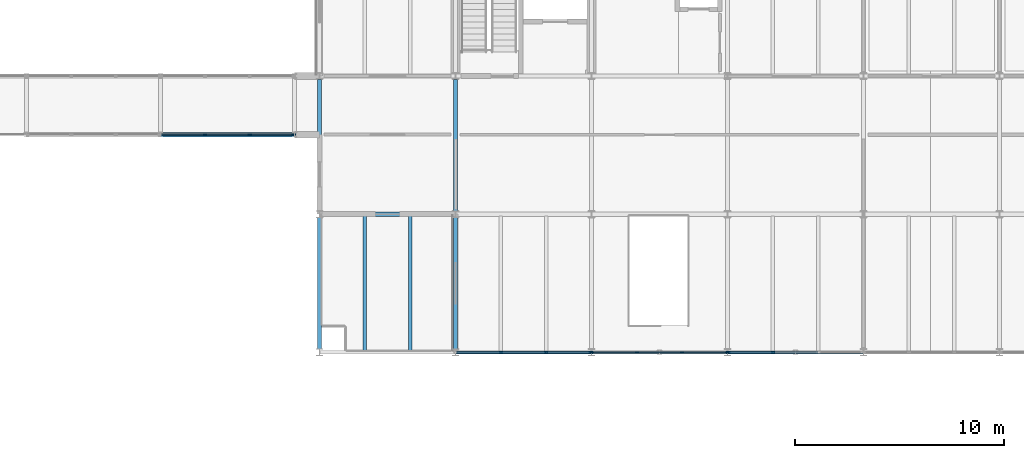
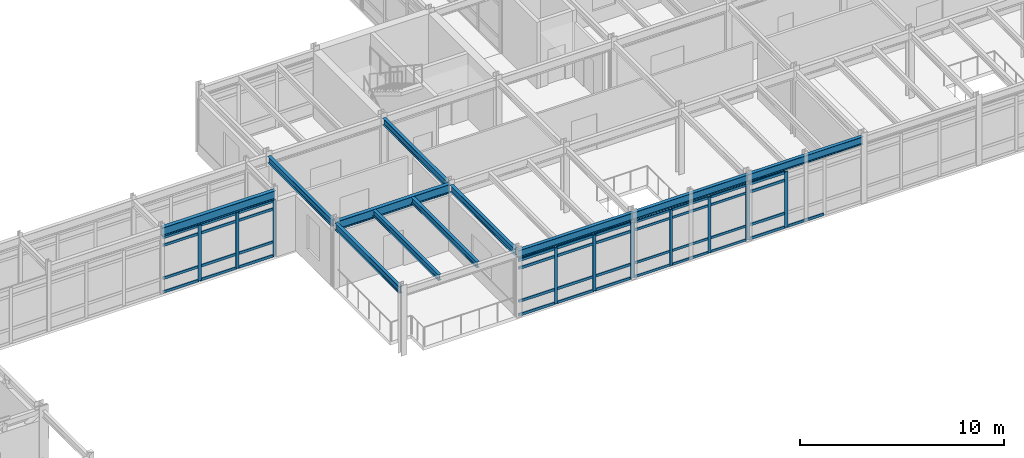
# One storey, part 68 of 144: 53 members, 11 beams, 4 elements without a shape of their own.
"""IFC4 building model written with IfcOpenShell, lengths in metres."""

from ifc_helpers import new_model, si_unit, direction, frame, origin, origin_2d, place, context, subcontext, project, spatial, rectangle, i_section, extrude, material, layer, layer_set, material_profile, profile_set, type_object, element, aggregate, save


model = new_model("IFC4")

# Units and contexts
model_context = context("Model", 3, precision=1e-05, world=origin(), true_north=direction((0.0, 1.0)))
body_context = subcontext(model_context, "Body", "Model", "MODEL_VIEW")
ifc_project = project(units=[si_unit("LENGTHUNIT", "METRE"), si_unit("AREAUNIT", "SQUARE_METRE"), si_unit("VOLUMEUNIT", "CUBIC_METRE"), si_unit("PLANEANGLEUNIT", "RADIAN"), si_unit("MASSUNIT", "GRAM", prefix="KILO")], contexts=[model_context])

# Site, building, storey
site_placement = place(None, origin())
site = spatial("IfcSite", under=ifc_project, at=site_placement, CompositionType="ELEMENT")
building_placement = place(site_placement, origin())
building = spatial("IfcBuilding", under=site, at=building_placement, Name="Trelmorton Wharf Fire Station", CompositionType="ELEMENT")
storey_placement = place(building_placement, frame((0.0, 0.0, 5.39990234375)))
storey = spatial("IfcBuildingStorey", under=building, at=storey_placement, Name="L01", CompositionType="ELEMENT", Elevation=5.39990234375)

# Beams
ifc_material_1 = material(Name="Steel Grade 350", Category="steel")
ifc_material_profile_1 = material_profile(ifc_material_1, i_section(OverallWidth=0.177978515625, OverallDepth=0.406005859375, WebThickness=0.0078125, FlangeThickness=0.0126953125, FilletRadius=0.011474609375, at=origin_2d()), Name="410UB59.7")
ifc_profile_set_1 = profile_set([ifc_material_profile_1], Name="Steel Grade 350")
beam_type_1 = type_object("IfcBeamType", Name="BM_410UB60", PredefinedType="BEAM", material=ifc_profile_set_1)
for number, where, z_axis, x_axis, name in (
    (1, (104.0, 7.95947265625, 3.72705078125), (0.0, 1.0, 0.0), (-1.0, 0.0, 0.0), "BM-L01-0616"),
    (2, (104.0, 14.5595703125, 3.72705078125), (0.0, 1.0, 0.0), (-1.0, 0.0, 0.0), "BM-L01-0617"),
    (3, (110.5, 7.95947265625, 3.72705078125), (0.0, 1.0, 0.0), (-1.0, 0.0, 0.0), "BM-L01-0622"),
    (4, (110.5, 14.5595703125, 3.72705078125), (0.0, 1.0, 0.0), (-1.0, 0.0, 0.0), "BM-L01-0623"),
):
    element("IfcBeam", number, at=place(storey_placement, frame(where, z_axis=z_axis, x_axis=x_axis)), inside=storey, type_object=beam_type_1, Name=name, PredefinedType="BEAM", context=body_context, shape_type="SweptSolid", body=[
        extrude(i_section(OverallWidth=0.177978515625, OverallDepth=0.406005859375, WebThickness=0.0078125, FlangeThickness=0.0126953125, FilletRadius=0.011474609375, at=origin_2d()), origin(), (0.0, 0.0, 1.0), 6.281005859375),
    ])
ifc_material_profile_2 = material_profile(ifc_material_1, i_section(OverallWidth=0.208984375, OverallDepth=0.528076171875, WebThickness=0.009521484375, FlangeThickness=0.01318359375, FilletRadius=0.013916015625, at=origin_2d()), Name="530UB82.0")
ifc_profile_set_2 = profile_set([ifc_material_profile_2], Name="Steel Grade 350")
beam_type_2 = type_object("IfcBeamType", Name="BM_530UB82", PredefinedType="BEAM", material=ifc_profile_set_2)
beam_1_placement = place(storey_placement, frame((104.005859375, 14.39990234375, 3.666015625), z_axis=(1.0, 0.0, 0.0), x_axis=(0.0, 1.0, 0.0)))
element("IfcBeam", 5, at=beam_1_placement, inside=storey, type_object=beam_type_2, Name="BM-L01-0425", PredefinedType="BEAM", context=body_context, shape_type="SweptSolid", body=[
    extrude(i_section(OverallWidth=0.208984375, OverallDepth=0.528076171875, WebThickness=0.009521484375, FlangeThickness=0.01318359375, FilletRadius=0.013916015625, at=origin_2d()), origin(), (0.0, 0.0, 1.0), 6.48828125),
])
beam_2_placement = place(storey_placement, frame((96.404052734375, 18.199951171875, 3.666015625), z_axis=(1.0, 0.0, 0.0), x_axis=(0.0, 1.0, 0.0)))
element("IfcBeam", 6, at=beam_2_placement, inside=storey, type_object=beam_type_2, Name="BM-L01-0435", PredefinedType="BEAM", context=body_context, shape_type="SweptSolid", body=[
    extrude(i_section(OverallWidth=0.208984375, OverallDepth=0.528076171875, WebThickness=0.009521484375, FlangeThickness=0.01318359375, FilletRadius=0.013916015625, at=origin_2d()), origin(), (0.0, 0.0, 1.0), 6.391845703125),
])

# Curtain wall, members
ifc_material_2 = material(Name="Anodised aluminium AW-6063", Category="aluminium")
ifc_layer_1 = layer(ifc_material_2, 0.159912109375)
ifc_layer_set_1 = layer_set([ifc_layer_1], Name="Anodised aluminium AW-6063")
curtain_wall_type_1 = type_object("IfcCurtainWallType", Name="CW_CHIC_A", PredefinedType="USERDEFINED", material=ifc_layer_set_1)
curtain_wall_1_placement = place(storey_placement, origin())
curtain_wall_1 = element("IfcCurtainWall", 7, at=curtain_wall_1_placement, inside=storey, type_object=curtain_wall_type_1, Name="CW-V5-L01-039", ObjectType="CHICAGO BAY CURTAIN WALL", PredefinedType="USERDEFINED")
ifc_material_profile_3 = material_profile(ifc_material_2, rectangle(XDim=0.06494140625, YDim=0.159912109375, at=origin_2d()), Name="ALU-65x160")
ifc_profile_set_3 = profile_set([ifc_material_profile_3], Name="Anodised aluminium AW-6063")
member_type_1 = type_object("IfcMemberType", Name="CWM_65x160", PredefinedType="MULLION", material=ifc_profile_set_3)
member_1_placement = place(storey_placement, frame((123.465087890625, 7.800048828125, 0.0), z_axis=(0.0, 0.0, 1.0), x_axis=(0.0, -1.0, 0.0)))
member_1 = element("IfcMember", 8, at=member_1_placement, type_object=member_type_1, Name="CW1 mullion 1", PredefinedType="MULLION", context=body_context, shape_type="SweptSolid", body=[
    extrude(rectangle(XDim=0.06494140625, YDim=0.159912109375, at=origin_2d()), origin(), (0.0, 0.0, 1.0), 3.320068359375),
])
member_2_placement = place(storey_placement, frame((121.331787109375, 7.800048828125, 0.0), z_axis=(0.0, 0.0, 1.0), x_axis=(0.0, -1.0, 0.0)))
member_2 = element("IfcMember", 9, at=member_2_placement, type_object=member_type_1, Name="CW1 mullion 2", PredefinedType="MULLION", context=body_context, shape_type="SweptSolid", body=[
    extrude(rectangle(XDim=0.06494140625, YDim=0.159912109375, at=origin_2d()), origin(), (0.0, 0.0, 1.0), 3.320068359375),
])
member_3_placement = place(storey_placement, frame((119.168212890625, 7.800048828125, 0.0), z_axis=(0.0, 0.0, 1.0), x_axis=(0.0, -1.0, 0.0)))
member_3 = element("IfcMember", 10, at=member_3_placement, type_object=member_type_1, Name="CW1 mullion 3", PredefinedType="MULLION", context=body_context, shape_type="SweptSolid", body=[
    extrude(rectangle(XDim=0.06494140625, YDim=0.159912109375, at=origin_2d()), origin(), (0.0, 0.0, 1.0), 3.320068359375),
])
member_4_placement = place(storey_placement, frame((117.034912109375, 7.800048828125, 0.0), z_axis=(0.0, 0.0, 1.0), x_axis=(0.0, -1.0, 0.0)))
member_4 = element("IfcMember", 11, at=member_4_placement, type_object=member_type_1, Name="CW1 mullion 4", PredefinedType="MULLION", context=body_context, shape_type="SweptSolid", body=[
    extrude(rectangle(XDim=0.06494140625, YDim=0.159912109375, at=origin_2d()), origin(), (0.0, 0.0, 1.0), 3.320068359375),
])

ifc_layer_2 = layer(ifc_material_2, 0.175048828125)
ifc_layer_set_2 = layer_set([ifc_layer_2], Name="Anodised aluminium AW-6063")
curtain_wall_type_2 = type_object("IfcCurtainWallType", Name="CW_CHIC_B", PredefinedType="USERDEFINED", material=ifc_layer_set_2)
curtain_wall_2_placement = place(storey_placement, origin())
curtain_wall_2 = element("IfcCurtainWall", 12, at=curtain_wall_2_placement, inside=storey, type_object=curtain_wall_type_2, Name="CW-V5-L01-038", ObjectType="CHICAGO BAY CURTAIN WALL", PredefinedType="USERDEFINED")
ifc_material_profile_4 = material_profile(ifc_material_2, rectangle(XDim=0.074951171875, YDim=0.175048828125, at=origin_2d()), Name="ALU-75x175")
ifc_profile_set_4 = profile_set([ifc_material_profile_4], Name="Anodised aluminium AW-6063")
member_type_2 = type_object("IfcMemberType", Name="CWM_75x175", PredefinedType="MULLION", material=ifc_profile_set_4)
member_5_placement = place(storey_placement, frame((116.965087890625, 7.800048828125, 0.0), z_axis=(0.0, 0.0, 1.0), x_axis=(0.0, -1.0, 0.0)))
member_5 = element("IfcMember", 13, at=member_5_placement, type_object=member_type_2, Name="CW2 mullion 1", PredefinedType="MULLION", context=body_context, shape_type="SweptSolid", body=[
    extrude(rectangle(XDim=0.074951171875, YDim=0.175048828125, at=origin_2d()), origin(), (0.0, 0.0, 1.0), 3.320068359375),
])
member_6_placement = place(storey_placement, frame((114.831787109375, 7.800048828125, 0.0), z_axis=(0.0, 0.0, 1.0), x_axis=(0.0, -1.0, 0.0)))
member_6 = element("IfcMember", 14, at=member_6_placement, type_object=member_type_2, Name="CW2 mullion 2", PredefinedType="MULLION", context=body_context, shape_type="SweptSolid", body=[
    extrude(rectangle(XDim=0.074951171875, YDim=0.175048828125, at=origin_2d()), origin(), (0.0, 0.0, 1.0), 3.320068359375),
])
member_7_placement = place(storey_placement, frame((112.668212890625, 7.800048828125, 0.0), z_axis=(0.0, 0.0, 1.0), x_axis=(0.0, -1.0, 0.0)))
member_7 = element("IfcMember", 15, at=member_7_placement, type_object=member_type_2, Name="CW2 mullion 3", PredefinedType="MULLION", context=body_context, shape_type="SweptSolid", body=[
    extrude(rectangle(XDim=0.074951171875, YDim=0.175048828125, at=origin_2d()), origin(), (0.0, 0.0, 1.0), 3.320068359375),
])

curtain_wall_3_placement = place(storey_placement, origin())
curtain_wall_3 = element("IfcCurtainWall", 16, at=curtain_wall_3_placement, inside=storey, type_object=curtain_wall_type_2, Name="CW-V5-L01-040", ObjectType="CHICAGO BAY CURTAIN WALL", PredefinedType="USERDEFINED")
member_8_placement = place(storey_placement, frame((125.668212890625, 7.800048828125, 0.0), z_axis=(0.0, 0.0, 1.0), x_axis=(0.0, -1.0, 0.0)))
member_8 = element("IfcMember", 17, at=member_8_placement, type_object=member_type_2, Name="CW2 mullion 3", PredefinedType="MULLION", context=body_context, shape_type="SweptSolid", body=[
    extrude(rectangle(XDim=0.074951171875, YDim=0.175048828125, at=origin_2d()), origin(), (0.0, 0.0, 1.0), 3.320068359375),
])
member_9_placement = place(storey_placement, frame((123.534912109375, 7.800048828125, 0.0), z_axis=(0.0, 0.0, 1.0), x_axis=(0.0, -1.0, 0.0)))
member_9 = element("IfcMember", 18, at=member_9_placement, type_object=member_type_2, Name="CW2 mullion 4", PredefinedType="MULLION", context=body_context, shape_type="SweptSolid", body=[
    extrude(rectangle(XDim=0.074951171875, YDim=0.175048828125, at=origin_2d()), origin(), (0.0, 0.0, 1.0), 3.320068359375),
])

ifc_layer_3 = layer(ifc_material_2, 0.139892578125)
ifc_layer_set_3 = layer_set([ifc_layer_3], Name="Anodised aluminium AW-6063")
curtain_wall_type_3 = type_object("IfcCurtainWallType", Name="CW_BRDG_A", PredefinedType="USERDEFINED", material=ifc_layer_set_3)
curtain_wall_4_placement = place(storey_placement, origin())
curtain_wall_4 = element("IfcCurtainWall", 19, at=curtain_wall_4_placement, inside=storey, type_object=curtain_wall_type_3, Name="CW-BR-L01-158", ObjectType="UNITISED CURTAIN WALL", PredefinedType="USERDEFINED")
member_10_placement = place(storey_placement, frame((102.764892578125, 18.199951171875, 0.0), z_axis=(0.0, 0.0, 1.0), x_axis=(0.0, -1.0, 0.0)))
member_10 = element("IfcMember", 20, at=member_10_placement, type_object=member_type_2, Name="CW4 mullion 1", PredefinedType="MULLION", context=body_context, shape_type="SweptSolid", body=[
    extrude(rectangle(XDim=0.074951171875, YDim=0.175048828125, at=origin_2d()), origin(), (0.0, 0.0, 1.0), 3.320068359375),
])
member_11_placement = place(storey_placement, frame((100.6650390625, 18.199951171875, 0.0), z_axis=(0.0, 0.0, 1.0), x_axis=(0.0, -1.0, 0.0)))
member_11 = element("IfcMember", 21, at=member_11_placement, type_object=member_type_2, Name="CW4 mullion 2", PredefinedType="MULLION", context=body_context, shape_type="SweptSolid", body=[
    extrude(rectangle(XDim=0.074951171875, YDim=0.175048828125, at=origin_2d()), origin(), (0.0, 0.0, 1.0), 3.320068359375),
])
member_12_placement = place(storey_placement, frame((98.534912109375, 18.199951171875, 0.0), z_axis=(0.0, 0.0, 1.0), x_axis=(0.0, -1.0, 0.0)))
member_12 = element("IfcMember", 22, at=member_12_placement, type_object=member_type_2, Name="CW4 mullion 3", PredefinedType="MULLION", context=body_context, shape_type="SweptSolid", body=[
    extrude(rectangle(XDim=0.074951171875, YDim=0.175048828125, at=origin_2d()), origin(), (0.0, 0.0, 1.0), 3.320068359375),
])

# Member
ifc_material_profile_5 = material_profile(ifc_material_2, rectangle(XDim=0.06494140625, YDim=0.139892578125, at=origin_2d()), Name="ALU-65x140")
ifc_profile_set_5 = profile_set([ifc_material_profile_5], Name="Anodised aluminium AW-6063")
member_type_3 = type_object("IfcMemberType", Name="CWT_65x140", PredefinedType="USERDEFINED", material=ifc_profile_set_5)
member_13_placement = place(storey_placement, frame((123.43505859375, 7.800048828125, 0.030029296875), z_axis=(-1.0, 0.0, 0.0), x_axis=(0.0, -1.0, 0.0)))
member_13 = element("IfcMember", 23, at=member_13_placement, type_object=member_type_3, Name="CW1 transom 1.1", ObjectType="TRANSOM", PredefinedType="USERDEFINED", context=body_context, shape_type="SweptSolid", body=[
    extrude(rectangle(XDim=0.06494140625, YDim=0.139892578125, at=origin_2d()), origin(), (0.0, 0.0, 1.0), 2.073486328125),
])

member_14_placement = place(storey_placement, frame((123.43505859375, 7.800048828125, 0.85009765625), z_axis=(-1.0, 0.0, 0.0), x_axis=(0.0, -1.0, 0.0)))
member_14 = element("IfcMember", 24, at=member_14_placement, type_object=member_type_3, Name="CW1 transom 1.2", ObjectType="TRANSOM", PredefinedType="USERDEFINED", context=body_context, shape_type="SweptSolid", body=[
    extrude(rectangle(XDim=0.06494140625, YDim=0.139892578125, at=origin_2d()), origin(), (0.0, 0.0, 1.0), 2.073486328125),
])

member_15_placement = place(storey_placement, frame((123.43505859375, 7.800048828125, 2.820068359375), z_axis=(-1.0, 0.0, 0.0), x_axis=(0.0, -1.0, 0.0)))
member_15 = element("IfcMember", 25, at=member_15_placement, type_object=member_type_3, Name="CW1 transom 1.3", ObjectType="TRANSOM", PredefinedType="USERDEFINED", context=body_context, shape_type="SweptSolid", body=[
    extrude(rectangle(XDim=0.06494140625, YDim=0.139892578125, at=origin_2d()), origin(), (0.0, 0.0, 1.0), 2.073486328125),
])

member_16_placement = place(storey_placement, frame((123.43505859375, 7.800048828125, 3.2900390625), z_axis=(-1.0, 0.0, 0.0), x_axis=(0.0, -1.0, 0.0)))
member_16 = element("IfcMember", 26, at=member_16_placement, type_object=member_type_3, Name="CW1 transom 1.4", ObjectType="TRANSOM", PredefinedType="USERDEFINED", context=body_context, shape_type="SweptSolid", body=[
    extrude(rectangle(XDim=0.06494140625, YDim=0.139892578125, at=origin_2d()), origin(), (0.0, 0.0, 1.0), 2.073486328125),
])

member_17_placement = place(storey_placement, frame((121.3017578125, 7.800048828125, 0.030029296875), z_axis=(-1.0, 0.0, 0.0), x_axis=(0.0, -1.0, 0.0)))
member_17 = element("IfcMember", 27, at=member_17_placement, type_object=member_type_3, Name="CW1 transom 2.1", ObjectType="TRANSOM", PredefinedType="USERDEFINED", context=body_context, shape_type="SweptSolid", body=[
    extrude(rectangle(XDim=0.06494140625, YDim=0.139892578125, at=origin_2d()), origin(), (0.0, 0.0, 1.0), 2.103515625),
])

member_18_placement = place(storey_placement, frame((121.3017578125, 7.800048828125, 0.85009765625), z_axis=(-1.0, 0.0, 0.0), x_axis=(0.0, -1.0, 0.0)))
member_18 = element("IfcMember", 28, at=member_18_placement, type_object=member_type_3, Name="CW1 transom 2.2", ObjectType="TRANSOM", PredefinedType="USERDEFINED", context=body_context, shape_type="SweptSolid", body=[
    extrude(rectangle(XDim=0.06494140625, YDim=0.139892578125, at=origin_2d()), origin(), (0.0, 0.0, 1.0), 2.103515625),
])

member_19_placement = place(storey_placement, frame((121.3017578125, 7.800048828125, 2.820068359375), z_axis=(-1.0, 0.0, 0.0), x_axis=(0.0, -1.0, 0.0)))
member_19 = element("IfcMember", 29, at=member_19_placement, type_object=member_type_3, Name="CW1 transom 2.3", ObjectType="TRANSOM", PredefinedType="USERDEFINED", context=body_context, shape_type="SweptSolid", body=[
    extrude(rectangle(XDim=0.06494140625, YDim=0.139892578125, at=origin_2d()), origin(), (0.0, 0.0, 1.0), 2.103515625),
])

member_20_placement = place(storey_placement, frame((121.3017578125, 7.800048828125, 3.2900390625), z_axis=(-1.0, 0.0, 0.0), x_axis=(0.0, -1.0, 0.0)))
member_20 = element("IfcMember", 30, at=member_20_placement, type_object=member_type_3, Name="CW1 transom 2.4", ObjectType="TRANSOM", PredefinedType="USERDEFINED", context=body_context, shape_type="SweptSolid", body=[
    extrude(rectangle(XDim=0.06494140625, YDim=0.139892578125, at=origin_2d()), origin(), (0.0, 0.0, 1.0), 2.103515625),
])

member_21_placement = place(storey_placement, frame((119.138427734375, 7.800048828125, 0.030029296875), z_axis=(-1.0, 0.0, 0.0), x_axis=(0.0, -1.0, 0.0)))
member_21 = element("IfcMember", 31, at=member_21_placement, type_object=member_type_3, Name="CW1 transom 3.1", ObjectType="TRANSOM", PredefinedType="USERDEFINED", context=body_context, shape_type="SweptSolid", body=[
    extrude(rectangle(XDim=0.06494140625, YDim=0.139892578125, at=origin_2d()), origin(), (0.0, 0.0, 1.0), 2.073486328125),
])

member_22_placement = place(storey_placement, frame((119.138427734375, 7.800048828125, 0.85009765625), z_axis=(-1.0, 0.0, 0.0), x_axis=(0.0, -1.0, 0.0)))
member_22 = element("IfcMember", 32, at=member_22_placement, type_object=member_type_3, Name="CW1 transom 3.2", ObjectType="TRANSOM", PredefinedType="USERDEFINED", context=body_context, shape_type="SweptSolid", body=[
    extrude(rectangle(XDim=0.06494140625, YDim=0.139892578125, at=origin_2d()), origin(), (0.0, 0.0, 1.0), 2.073486328125),
])

member_23_placement = place(storey_placement, frame((119.138427734375, 7.800048828125, 2.820068359375), z_axis=(-1.0, 0.0, 0.0), x_axis=(0.0, -1.0, 0.0)))
member_23 = element("IfcMember", 33, at=member_23_placement, type_object=member_type_3, Name="CW1 transom 3.3", ObjectType="TRANSOM", PredefinedType="USERDEFINED", context=body_context, shape_type="SweptSolid", body=[
    extrude(rectangle(XDim=0.06494140625, YDim=0.139892578125, at=origin_2d()), origin(), (0.0, 0.0, 1.0), 2.073486328125),
])

member_24_placement = place(storey_placement, frame((119.138427734375, 7.800048828125, 3.2900390625), z_axis=(-1.0, 0.0, 0.0), x_axis=(0.0, -1.0, 0.0)))
member_24 = element("IfcMember", 34, at=member_24_placement, type_object=member_type_3, Name="CW1 transom 3.4", ObjectType="TRANSOM", PredefinedType="USERDEFINED", context=body_context, shape_type="SweptSolid", body=[
    extrude(rectangle(XDim=0.06494140625, YDim=0.139892578125, at=origin_2d()), origin(), (0.0, 0.0, 1.0), 2.073486328125),
])

aggregate(curtain_wall_1, [member_1, member_2, member_3, member_4, member_13, member_14, member_15, member_16, member_17, member_18, member_19, member_20, member_21, member_22, member_23, member_24])

ifc_material_profile_6 = material_profile(ifc_material_2, rectangle(XDim=0.074951171875, YDim=0.155029296875, at=origin_2d()), Name="ALU-75x155")
ifc_profile_set_6 = profile_set([ifc_material_profile_6], Name="Anodised aluminium AW-6063")
member_type_4 = type_object("IfcMemberType", Name="CWT_75x155", PredefinedType="USERDEFINED", material=ifc_profile_set_6)
member_25_placement = place(storey_placement, frame((116.93505859375, 7.800048828125, 0.030029296875), z_axis=(-1.0, 0.0, 0.0), x_axis=(0.0, -1.0, 0.0)))
member_25 = element("IfcMember", 35, at=member_25_placement, type_object=member_type_4, Name="CW2 transom 1.1", ObjectType="TRANSOM", PredefinedType="USERDEFINED", context=body_context, shape_type="SweptSolid", body=[
    extrude(rectangle(XDim=0.074951171875, YDim=0.155029296875, at=origin_2d()), origin(), (0.0, 0.0, 1.0), 2.073486328125),
])

member_26_placement = place(storey_placement, frame((116.93505859375, 7.800048828125, 0.85009765625), z_axis=(-1.0, 0.0, 0.0), x_axis=(0.0, -1.0, 0.0)))
member_26 = element("IfcMember", 36, at=member_26_placement, type_object=member_type_4, Name="CW2 transom 1.2", ObjectType="TRANSOM", PredefinedType="USERDEFINED", context=body_context, shape_type="SweptSolid", body=[
    extrude(rectangle(XDim=0.074951171875, YDim=0.155029296875, at=origin_2d()), origin(), (0.0, 0.0, 1.0), 2.073486328125),
])

member_27_placement = place(storey_placement, frame((116.93505859375, 7.800048828125, 2.820068359375), z_axis=(-1.0, 0.0, 0.0), x_axis=(0.0, -1.0, 0.0)))
member_27 = element("IfcMember", 37, at=member_27_placement, type_object=member_type_4, Name="CW2 transom 1.3", ObjectType="TRANSOM", PredefinedType="USERDEFINED", context=body_context, shape_type="SweptSolid", body=[
    extrude(rectangle(XDim=0.074951171875, YDim=0.155029296875, at=origin_2d()), origin(), (0.0, 0.0, 1.0), 2.073486328125),
])

member_28_placement = place(storey_placement, frame((116.93505859375, 7.800048828125, 3.2900390625), z_axis=(-1.0, 0.0, 0.0), x_axis=(0.0, -1.0, 0.0)))
member_28 = element("IfcMember", 38, at=member_28_placement, type_object=member_type_4, Name="CW2 transom 1.4", ObjectType="TRANSOM", PredefinedType="USERDEFINED", context=body_context, shape_type="SweptSolid", body=[
    extrude(rectangle(XDim=0.074951171875, YDim=0.155029296875, at=origin_2d()), origin(), (0.0, 0.0, 1.0), 2.073486328125),
])

member_29_placement = place(storey_placement, frame((114.8017578125, 7.800048828125, 0.030029296875), z_axis=(-1.0, 0.0, 0.0), x_axis=(0.0, -1.0, 0.0)))
member_29 = element("IfcMember", 39, at=member_29_placement, type_object=member_type_4, Name="CW2 transom 2.1", ObjectType="TRANSOM", PredefinedType="USERDEFINED", context=body_context, shape_type="SweptSolid", body=[
    extrude(rectangle(XDim=0.074951171875, YDim=0.155029296875, at=origin_2d()), origin(), (0.0, 0.0, 1.0), 2.103515625),
])

member_30_placement = place(storey_placement, frame((114.8017578125, 7.800048828125, 0.85009765625), z_axis=(-1.0, 0.0, 0.0), x_axis=(0.0, -1.0, 0.0)))
member_30 = element("IfcMember", 40, at=member_30_placement, type_object=member_type_4, Name="CW2 transom 2.2", ObjectType="TRANSOM", PredefinedType="USERDEFINED", context=body_context, shape_type="SweptSolid", body=[
    extrude(rectangle(XDim=0.074951171875, YDim=0.155029296875, at=origin_2d()), origin(), (0.0, 0.0, 1.0), 2.103515625),
])

member_31_placement = place(storey_placement, frame((114.8017578125, 7.800048828125, 2.820068359375), z_axis=(-1.0, 0.0, 0.0), x_axis=(0.0, -1.0, 0.0)))
member_31 = element("IfcMember", 41, at=member_31_placement, type_object=member_type_4, Name="CW2 transom 2.3", ObjectType="TRANSOM", PredefinedType="USERDEFINED", context=body_context, shape_type="SweptSolid", body=[
    extrude(rectangle(XDim=0.074951171875, YDim=0.155029296875, at=origin_2d()), origin(), (0.0, 0.0, 1.0), 2.103515625),
])

member_32_placement = place(storey_placement, frame((114.8017578125, 7.800048828125, 3.2900390625), z_axis=(-1.0, 0.0, 0.0), x_axis=(0.0, -1.0, 0.0)))
member_32 = element("IfcMember", 42, at=member_32_placement, type_object=member_type_4, Name="CW2 transom 2.4", ObjectType="TRANSOM", PredefinedType="USERDEFINED", context=body_context, shape_type="SweptSolid", body=[
    extrude(rectangle(XDim=0.074951171875, YDim=0.155029296875, at=origin_2d()), origin(), (0.0, 0.0, 1.0), 2.103515625),
])

member_33_placement = place(storey_placement, frame((112.638427734375, 7.800048828125, 0.030029296875), z_axis=(-1.0, 0.0, 0.0), x_axis=(0.0, -1.0, 0.0)))
member_33 = element("IfcMember", 43, at=member_33_placement, type_object=member_type_4, Name="CW2 transom 3.1", ObjectType="TRANSOM", PredefinedType="USERDEFINED", context=body_context, shape_type="SweptSolid", body=[
    extrude(rectangle(XDim=0.074951171875, YDim=0.155029296875, at=origin_2d()), origin(), (0.0, 0.0, 1.0), 2.073486328125),
])

member_34_placement = place(storey_placement, frame((112.638427734375, 7.800048828125, 0.85009765625), z_axis=(-1.0, 0.0, 0.0), x_axis=(0.0, -1.0, 0.0)))
member_34 = element("IfcMember", 44, at=member_34_placement, type_object=member_type_4, Name="CW2 transom 3.2", ObjectType="TRANSOM", PredefinedType="USERDEFINED", context=body_context, shape_type="SweptSolid", body=[
    extrude(rectangle(XDim=0.074951171875, YDim=0.155029296875, at=origin_2d()), origin(), (0.0, 0.0, 1.0), 2.073486328125),
])

member_35_placement = place(storey_placement, frame((112.638427734375, 7.800048828125, 2.820068359375), z_axis=(-1.0, 0.0, 0.0), x_axis=(0.0, -1.0, 0.0)))
member_35 = element("IfcMember", 45, at=member_35_placement, type_object=member_type_4, Name="CW2 transom 3.3", ObjectType="TRANSOM", PredefinedType="USERDEFINED", context=body_context, shape_type="SweptSolid", body=[
    extrude(rectangle(XDim=0.074951171875, YDim=0.155029296875, at=origin_2d()), origin(), (0.0, 0.0, 1.0), 2.073486328125),
])

member_36_placement = place(storey_placement, frame((112.638427734375, 7.800048828125, 3.2900390625), z_axis=(-1.0, 0.0, 0.0), x_axis=(0.0, -1.0, 0.0)))
member_36 = element("IfcMember", 46, at=member_36_placement, type_object=member_type_4, Name="CW2 transom 3.4", ObjectType="TRANSOM", PredefinedType="USERDEFINED", context=body_context, shape_type="SweptSolid", body=[
    extrude(rectangle(XDim=0.074951171875, YDim=0.155029296875, at=origin_2d()), origin(), (0.0, 0.0, 1.0), 2.073486328125),
])

aggregate(curtain_wall_2, [member_5, member_6, member_7, member_25, member_26, member_27, member_28, member_29, member_30, member_31, member_32, member_33, member_34, member_35, member_36])

member_37_placement = place(storey_placement, frame((127.8017578125, 7.800048828125, 0.030029296875), z_axis=(-1.0, 0.0, 0.0), x_axis=(0.0, -1.0, 0.0)))
member_37 = element("IfcMember", 47, at=member_37_placement, type_object=member_type_4, Name="CW2 transom 2.1", ObjectType="TRANSOM", PredefinedType="USERDEFINED", context=body_context, shape_type="SweptSolid", body=[
    extrude(rectangle(XDim=0.074951171875, YDim=0.155029296875, at=origin_2d()), origin(), (0.0, 0.0, 1.0), 2.103515625),
])

member_38_placement = place(storey_placement, frame((125.638427734375, 7.800048828125, 0.030029296875), z_axis=(-1.0, 0.0, 0.0), x_axis=(0.0, -1.0, 0.0)))
member_38 = element("IfcMember", 48, at=member_38_placement, type_object=member_type_4, Name="CW2 transom 3.1", ObjectType="TRANSOM", PredefinedType="USERDEFINED", context=body_context, shape_type="SweptSolid", body=[
    extrude(rectangle(XDim=0.074951171875, YDim=0.155029296875, at=origin_2d()), origin(), (0.0, 0.0, 1.0), 2.073486328125),
])

member_39_placement = place(storey_placement, frame((125.638427734375, 7.800048828125, 0.85009765625), z_axis=(-1.0, 0.0, 0.0), x_axis=(0.0, -1.0, 0.0)))
member_39 = element("IfcMember", 49, at=member_39_placement, type_object=member_type_4, Name="CW2 transom 3.2", ObjectType="TRANSOM", PredefinedType="USERDEFINED", context=body_context, shape_type="SweptSolid", body=[
    extrude(rectangle(XDim=0.074951171875, YDim=0.155029296875, at=origin_2d()), origin(), (0.0, 0.0, 1.0), 2.073486328125),
])

member_40_placement = place(storey_placement, frame((125.638427734375, 7.800048828125, 2.820068359375), z_axis=(-1.0, 0.0, 0.0), x_axis=(0.0, -1.0, 0.0)))
member_40 = element("IfcMember", 50, at=member_40_placement, type_object=member_type_4, Name="CW2 transom 3.3", ObjectType="TRANSOM", PredefinedType="USERDEFINED", context=body_context, shape_type="SweptSolid", body=[
    extrude(rectangle(XDim=0.074951171875, YDim=0.155029296875, at=origin_2d()), origin(), (0.0, 0.0, 1.0), 2.073486328125),
])

member_41_placement = place(storey_placement, frame((125.638427734375, 7.800048828125, 3.2900390625), z_axis=(-1.0, 0.0, 0.0), x_axis=(0.0, -1.0, 0.0)))
member_41 = element("IfcMember", 51, at=member_41_placement, type_object=member_type_4, Name="CW2 transom 3.4", ObjectType="TRANSOM", PredefinedType="USERDEFINED", context=body_context, shape_type="SweptSolid", body=[
    extrude(rectangle(XDim=0.074951171875, YDim=0.155029296875, at=origin_2d()), origin(), (0.0, 0.0, 1.0), 2.073486328125),
])

aggregate(curtain_wall_3, [member_8, member_9, member_37, member_38, member_39, member_40, member_41])

member_42_placement = place(storey_placement, frame((102.735107421875, 18.199951171875, 0.030029296875), z_axis=(-1.0, 0.0, 0.0), x_axis=(0.0, -1.0, 0.0)))
member_42 = element("IfcMember", 52, at=member_42_placement, type_object=member_type_4, Name="CW4 transom 1.1", ObjectType="TRANSOM", PredefinedType="USERDEFINED", context=body_context, shape_type="SweptSolid", body=[
    extrude(rectangle(XDim=0.074951171875, YDim=0.155029296875, at=origin_2d()), origin(), (0.0, 0.0, 1.0), 2.0400390625),
])

member_43_placement = place(storey_placement, frame((102.735107421875, 18.199951171875, 0.85009765625), z_axis=(-1.0, 0.0, 0.0), x_axis=(0.0, -1.0, 0.0)))
member_43 = element("IfcMember", 53, at=member_43_placement, type_object=member_type_4, Name="CW4 transom 1.2", ObjectType="TRANSOM", PredefinedType="USERDEFINED", context=body_context, shape_type="SweptSolid", body=[
    extrude(rectangle(XDim=0.074951171875, YDim=0.155029296875, at=origin_2d()), origin(), (0.0, 0.0, 1.0), 2.0400390625),
])

member_44_placement = place(storey_placement, frame((102.735107421875, 18.199951171875, 2.820068359375), z_axis=(-1.0, 0.0, 0.0), x_axis=(0.0, -1.0, 0.0)))
member_44 = element("IfcMember", 54, at=member_44_placement, type_object=member_type_4, Name="CW4 transom 1.3", ObjectType="TRANSOM", PredefinedType="USERDEFINED", context=body_context, shape_type="SweptSolid", body=[
    extrude(rectangle(XDim=0.074951171875, YDim=0.155029296875, at=origin_2d()), origin(), (0.0, 0.0, 1.0), 2.0400390625),
])

member_45_placement = place(storey_placement, frame((102.735107421875, 18.199951171875, 3.2900390625), z_axis=(-1.0, 0.0, 0.0), x_axis=(0.0, -1.0, 0.0)))
member_45 = element("IfcMember", 55, at=member_45_placement, type_object=member_type_4, Name="CW4 transom 1.4", ObjectType="TRANSOM", PredefinedType="USERDEFINED", context=body_context, shape_type="SweptSolid", body=[
    extrude(rectangle(XDim=0.074951171875, YDim=0.155029296875, at=origin_2d()), origin(), (0.0, 0.0, 1.0), 2.0400390625),
])

member_46_placement = place(storey_placement, frame((100.635009765625, 18.199951171875, 0.030029296875), z_axis=(-1.0, 0.0, 0.0), x_axis=(0.0, -1.0, 0.0)))
member_46 = element("IfcMember", 56, at=member_46_placement, type_object=member_type_4, Name="CW4 transom 2.1", ObjectType="TRANSOM", PredefinedType="USERDEFINED", context=body_context, shape_type="SweptSolid", body=[
    extrude(rectangle(XDim=0.074951171875, YDim=0.155029296875, at=origin_2d()), origin(), (0.0, 0.0, 1.0), 2.070068359375),
])

member_47_placement = place(storey_placement, frame((100.635009765625, 18.199951171875, 0.85009765625), z_axis=(-1.0, 0.0, 0.0), x_axis=(0.0, -1.0, 0.0)))
member_47 = element("IfcMember", 57, at=member_47_placement, type_object=member_type_4, Name="CW4 transom 2.2", ObjectType="TRANSOM", PredefinedType="USERDEFINED", context=body_context, shape_type="SweptSolid", body=[
    extrude(rectangle(XDim=0.074951171875, YDim=0.155029296875, at=origin_2d()), origin(), (0.0, 0.0, 1.0), 2.070068359375),
])

member_48_placement = place(storey_placement, frame((100.635009765625, 18.199951171875, 2.820068359375), z_axis=(-1.0, 0.0, 0.0), x_axis=(0.0, -1.0, 0.0)))
member_48 = element("IfcMember", 58, at=member_48_placement, type_object=member_type_4, Name="CW4 transom 2.3", ObjectType="TRANSOM", PredefinedType="USERDEFINED", context=body_context, shape_type="SweptSolid", body=[
    extrude(rectangle(XDim=0.074951171875, YDim=0.155029296875, at=origin_2d()), origin(), (0.0, 0.0, 1.0), 2.070068359375),
])

member_49_placement = place(storey_placement, frame((100.635009765625, 18.199951171875, 3.2900390625), z_axis=(-1.0, 0.0, 0.0), x_axis=(0.0, -1.0, 0.0)))
member_49 = element("IfcMember", 59, at=member_49_placement, type_object=member_type_4, Name="CW4 transom 2.4", ObjectType="TRANSOM", PredefinedType="USERDEFINED", context=body_context, shape_type="SweptSolid", body=[
    extrude(rectangle(XDim=0.074951171875, YDim=0.155029296875, at=origin_2d()), origin(), (0.0, 0.0, 1.0), 2.070068359375),
])

member_50_placement = place(storey_placement, frame((98.5048828125, 18.199951171875, 0.030029296875), z_axis=(-1.0, 0.0, 0.0), x_axis=(0.0, -1.0, 0.0)))
member_50 = element("IfcMember", 60, at=member_50_placement, type_object=member_type_4, Name="CW4 transom 3.1", ObjectType="TRANSOM", PredefinedType="USERDEFINED", context=body_context, shape_type="SweptSolid", body=[
    extrude(rectangle(XDim=0.074951171875, YDim=0.155029296875, at=origin_2d()), origin(), (0.0, 0.0, 1.0), 2.039794921875),
])

member_51_placement = place(storey_placement, frame((98.5048828125, 18.199951171875, 0.85009765625), z_axis=(-1.0, 0.0, 0.0), x_axis=(0.0, -1.0, 0.0)))
member_51 = element("IfcMember", 61, at=member_51_placement, type_object=member_type_4, Name="CW4 transom 3.2", ObjectType="TRANSOM", PredefinedType="USERDEFINED", context=body_context, shape_type="SweptSolid", body=[
    extrude(rectangle(XDim=0.074951171875, YDim=0.155029296875, at=origin_2d()), origin(), (0.0, 0.0, 1.0), 2.039794921875),
])

member_52_placement = place(storey_placement, frame((98.5048828125, 18.199951171875, 2.820068359375), z_axis=(-1.0, 0.0, 0.0), x_axis=(0.0, -1.0, 0.0)))
member_52 = element("IfcMember", 62, at=member_52_placement, type_object=member_type_4, Name="CW4 transom 3.3", ObjectType="TRANSOM", PredefinedType="USERDEFINED", context=body_context, shape_type="SweptSolid", body=[
    extrude(rectangle(XDim=0.074951171875, YDim=0.155029296875, at=origin_2d()), origin(), (0.0, 0.0, 1.0), 2.039794921875),
])

member_53_placement = place(storey_placement, frame((98.5048828125, 18.199951171875, 3.2900390625), z_axis=(-1.0, 0.0, 0.0), x_axis=(0.0, -1.0, 0.0)))
member_53 = element("IfcMember", 63, at=member_53_placement, type_object=member_type_4, Name="CW4 transom 3.4", ObjectType="TRANSOM", PredefinedType="USERDEFINED", context=body_context, shape_type="SweptSolid", body=[
    extrude(rectangle(XDim=0.074951171875, YDim=0.155029296875, at=origin_2d()), origin(), (0.0, 0.0, 1.0), 2.039794921875),
])

aggregate(curtain_wall_4, [member_10, member_11, member_12, member_42, member_43, member_44, member_45, member_46, member_47, member_48, member_49, member_50, member_51, member_52, member_53])

# Beams
ifc_material_profile_7 = material_profile(ifc_material_1, i_section(OverallWidth=0.172119140625, OverallDepth=0.35888671875, WebThickness=0.008056640625, FlangeThickness=0.012939453125, FilletRadius=0.011474609375, at=origin_2d()), Name="360UB56.7")
ifc_profile_set_7 = profile_set([ifc_material_profile_7], Name="Steel Grade 350")
beam_type_3 = type_object("IfcBeamType", Name="JS_360UB57", PredefinedType="JOIST", material=ifc_profile_set_7)
for number, where, z_axis, x_axis, name in (
    (64, (106.166748046875, 7.889892578125, 3.75048828125), (0.0, 1.0, 0.0), (-1.0, 0.0, 0.0), "JS-L01-0155"),
    (65, (108.333251953125, 7.889892578125, 3.75048828125), (0.0, 1.0, 0.0), (-1.0, 0.0, 0.0), "JS-L01-0156"),
):
    element("IfcBeam", number, at=place(storey_placement, frame(where, z_axis=z_axis, x_axis=x_axis)), inside=storey, type_object=beam_type_3, Name=name, PredefinedType="JOIST", context=body_context, shape_type="SweptSolid", body=[
        extrude(i_section(OverallWidth=0.172119140625, OverallDepth=0.35888671875, WebThickness=0.008056640625, FlangeThickness=0.012939453125, FilletRadius=0.011474609375, at=origin_2d()), origin(), (0.0, 0.0, 1.0), 6.420166015625),
    ])
ifc_material_profile_8 = material_profile(ifc_material_1, i_section(OverallWidth=0.18994140625, OverallDepth=0.45703125, WebThickness=0.009033203125, FlangeThickness=0.014404296875, FilletRadius=0.011474609375, at=origin_2d()), Name="460UB74.6")
ifc_profile_set_8 = profile_set([ifc_material_profile_8], Name="Steel Grade 350")
beam_type_4 = type_object("IfcBeamType", Name="SP_460UB75", PredefinedType="SPANDREL", material=ifc_profile_set_8)
for number, where, z_axis, x_axis, name in (
    (66, (110.505859375, 7.800048828125, 3.70166015625), (1.0, 0.0, 0.0), (0.0, 1.0, 0.0), "BM-L01-0415"),
    (67, (117.005859375, 7.800048828125, 3.70166015625), (1.0, 0.0, 0.0), (0.0, 1.0, 0.0), "BM-L01-0416"),
    (68, (123.505859375, 7.800048828125, 3.70166015625), (1.0, 0.0, 0.0), (0.0, 1.0, 0.0), "BM-L01-0417"),
):
    element("IfcBeam", number, at=place(storey_placement, frame(where, z_axis=z_axis, x_axis=x_axis)), inside=storey, type_object=beam_type_4, Name=name, PredefinedType="SPANDREL", context=body_context, shape_type="SweptSolid", body=[
        extrude(i_section(OverallWidth=0.18994140625, OverallDepth=0.45703125, WebThickness=0.009033203125, FlangeThickness=0.014404296875, FilletRadius=0.011474609375, at=origin_2d()), origin(), (0.0, 0.0, 1.0), 6.48828125),
    ])

save(model, "model.ifc")
